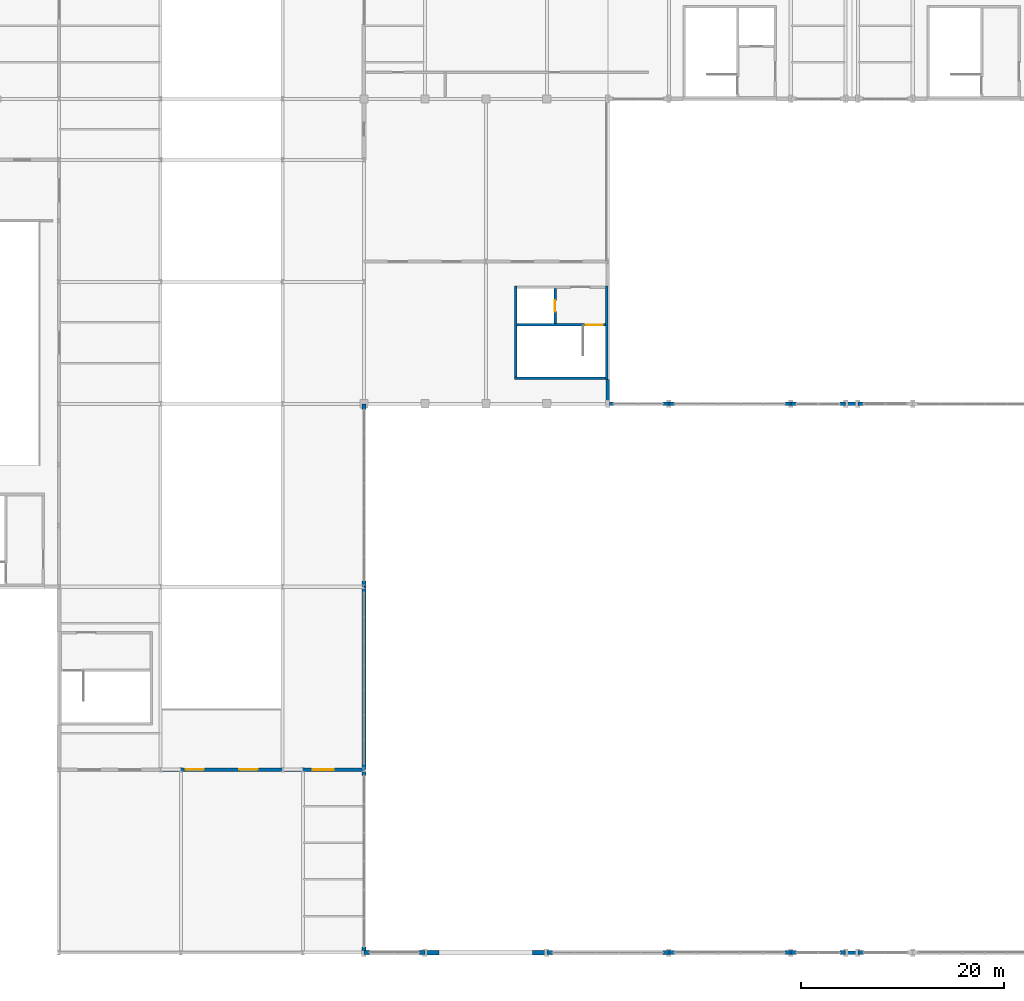
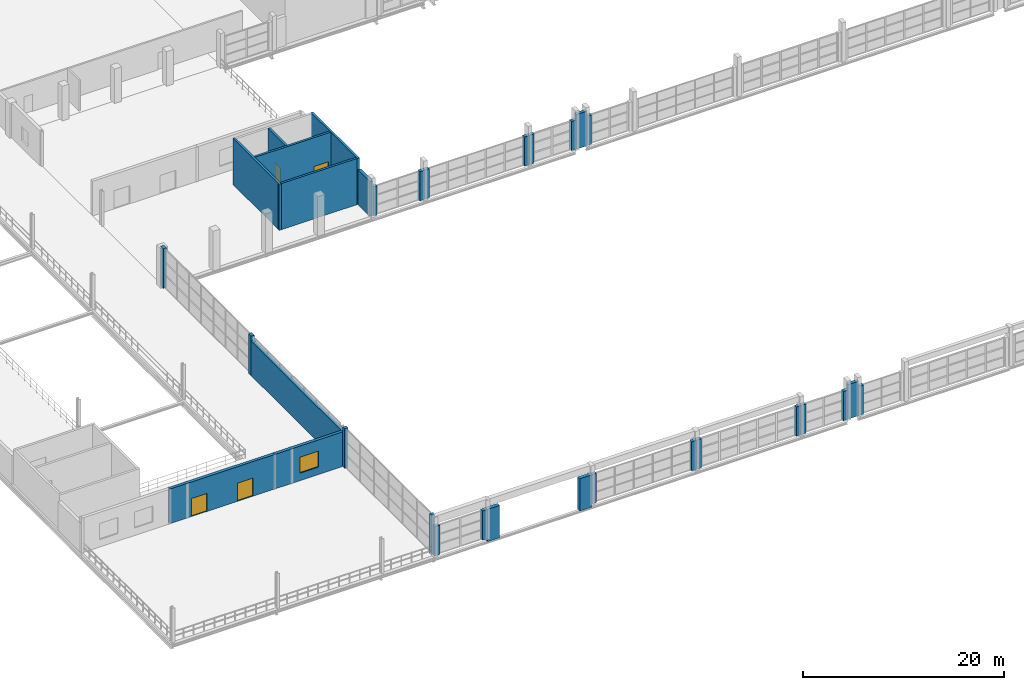
# One storey, part 132 of 147: 33 walls, 4 doors, 1 window, 5 openings.
"""IFC4 building model written with IfcOpenShell, lengths in metres."""

from ifc_helpers import new_model, si_unit, direction, frame, frame_2d, origin, place, context, subcontext, project, spatial, rectangle, extrude, material, layer, layer_set, type_object, element, fill, save


model = new_model("IFC4")

# Units and contexts
model_context = context("Model", 3, precision=1e-05, world=origin(), true_north=direction((0.0, 1.0)))
body_context = subcontext(model_context, "Body", "Model", "MODEL_VIEW")
ifc_project = project(units=[si_unit("LENGTHUNIT", "METRE"), si_unit("AREAUNIT", "SQUARE_METRE"), si_unit("VOLUMEUNIT", "CUBIC_METRE"), si_unit("PLANEANGLEUNIT", "RADIAN"), si_unit("MASSUNIT", "GRAM", prefix="KILO")], contexts=[model_context])

# Site, building, storey
site_placement = place(None, origin())
site = spatial("IfcSite", under=ifc_project, at=site_placement, CompositionType="ELEMENT")
building_placement = place(site_placement, origin())
building = spatial("IfcBuilding", under=site, at=building_placement, Name="Zilviju Railside Exhibition Hall", CompositionType="ELEMENT")
storey_placement = place(building_placement, frame((0.0, 0.0, 8.39990234375)))
storey = spatial("IfcBuildingStorey", under=building, at=storey_placement, Name="L03", CompositionType="ELEMENT", Elevation=8.39990234375)

# Walls
ifc_material_1 = material(Name="Concrete C35/45", Category="concrete")
ifc_layer_1 = layer(ifc_material_1, 0.25)
ifc_layer_set_1 = layer_set([ifc_layer_1], Name="Concrete C35/45")
wall_type_1 = type_object("IfcWallType", Name="WL-CORE-250", PredefinedType="SHEAR", material=ifc_layer_set_1)
wall_1_placement = place(storey_placement, frame((102.0, 56.52490234375, 0.0), z_axis=(0.0, 0.0, 1.0), x_axis=(-1.0, 0.0, 0.0)))
element("IfcWall", 1, at=wall_1_placement, inside=storey, type_object=wall_type_1, Name="Core C10 Winter Concourse Court Stairwell Outer Wall L03", PredefinedType="SHEAR", context=body_context, shape_type="SweptSolid", body=[
    extrude(rectangle(XDim=9.199951171875, YDim=0.25, at=frame_2d((4.60009765625, 0.0))), origin(), (0.0, 0.0, 1.0), 5.60009765625),
])
wall_2_placement = place(storey_placement, frame((92.925048828125, 56.39990234375, 0.0), z_axis=(0.0, 0.0, 1.0), x_axis=(0.0, 1.0, 0.0)))
element("IfcWall", 2, at=wall_2_placement, inside=storey, type_object=wall_type_1, Name="Core C10 Winter Concourse Court Core Rear Wall L03", PredefinedType="SHEAR", context=body_context, shape_type="SweptSolid", body=[
    extrude(rectangle(XDim=9.2001953125, YDim=0.25, at=frame_2d((4.60009765625, 0.0))), origin(), (0.0, 0.0, 1.0), 5.60009765625),
])

# Wall, opening, door
wall_3_placement = place(storey_placement, frame((101.75, 61.77490234375, 0.0), z_axis=(0.0, 0.0, 1.0), x_axis=(-1.0, 0.0, 0.0)))
wall_3 = element("IfcWall", 3, at=wall_3_placement, inside=storey, type_object=wall_type_1, Name="Core C10 Winter Concourse Court Stairwell Partition Wall L03", PredefinedType="SHEAR", context=body_context, shape_type="SweptSolid", body=[
    extrude(rectangle(XDim=8.699951171875, YDim=0.25, at=frame_2d((4.35009765625, 0.0))), origin(), (0.0, 0.0, 1.0), 5.60009765625),
])
opening_1_placement = place(wall_3_placement, frame((0.25, 0.0, 0.0)))
opening_1 = element("IfcOpeningElement", 4, at=opening_1_placement, cuts=wall_3, Name="Opening FD-01", PredefinedType="OPENING", context=body_context, shape_type="SweptSolid", body=[
    extrude(rectangle(XDim=1.64990234375, YDim=2.10009765625, at=frame_2d((0.824951171875, 1.050048828125))), frame((0.0, 0.135009765625, 0.0), z_axis=(0.0, -1.0, 0.0), x_axis=(1.0, 0.0, 0.0)), (0.0, 0.0, 1.0), 0.27001953125),
])
ifc_material_2 = material(Name="Self-closing steel stair enclosure fire door EI 60", Category="steel")
door_type_1 = type_object("IfcDoorType", Name="DR-STAIR-165x210", OperationType="NOTDEFINED", PredefinedType="DOOR", material=ifc_material_2)
door_1_placement = place(opening_1_placement, origin())
door_1 = element("IfcDoor", 5, at=door_1_placement, inside=storey, type_object=door_type_1, Name="Core C10 Winter Concourse Court Protected Stair Door L03", OperationType="SINGLE_SWING_RIGHT", OverallHeight=2.10009765625, OverallWidth=1.64990234375, PredefinedType="DOOR", context=body_context, shape_type="SweptSolid", body=[
    extrude(rectangle(XDim=1.64990234375, YDim=2.10009765625, at=frame_2d((0.824951171875, 1.050048828125))), frame((0.0, 0.02490234375, 0.0), z_axis=(0.0, -1.0, 0.0), x_axis=(1.0, 0.0, 0.0)), (0.0, 0.0, 1.0), 0.050048828125),
])
fill(opening_1, door_1)

wall_4_placement = place(storey_placement, frame((96.824951171875, 61.89990234375, 0.0), z_axis=(0.0, 0.0, 1.0), x_axis=(0.0, 1.0, 0.0)))
wall_4 = element("IfcWall", 6, at=wall_4_placement, inside=storey, type_object=wall_type_1, Name="Core C10 Winter Concourse Court Lift Shaft Front Wall L03", PredefinedType="SHEAR", context=body_context, shape_type="SweptSolid", body=[
    extrude(rectangle(XDim=3.4501953125, YDim=0.25, at=frame_2d((1.72509765625, 0.0))), origin(), (0.0, 0.0, 1.0), 5.60009765625),
])
opening_2_placement = place(wall_4_placement, frame((1.175048828125, 0.0, 0.0)))
opening_2 = element("IfcOpeningElement", 7, at=opening_2_placement, cuts=wall_4, Name="Opening LD-01", PredefinedType="OPENING", context=body_context, shape_type="SweptSolid", body=[
    extrude(rectangle(XDim=1.10009765625, YDim=2.10009765625, at=frame_2d((0.550048828125, 1.050048828125))), frame((0.0, 0.135009765625, 0.0), z_axis=(0.0, -1.0, 0.0), x_axis=(1.0, 0.0, 0.0)), (0.0, 0.0, 1.0), 0.27001953125),
])
ifc_material_3 = material(Name="Passenger lift sliding landing door EI 60", Category="wood")
door_type_2 = type_object("IfcDoorType", Name="DR-LIFT-110x210", OperationType="NOTDEFINED", PredefinedType="DOOR", material=ifc_material_3)
door_2_placement = place(opening_2_placement, origin())
door_2 = element("IfcDoor", 8, at=door_2_placement, inside=storey, type_object=door_type_2, Name="Lift Landing Door LP-04 L03", OperationType="SLIDING_TO_RIGHT", OverallHeight=2.10009765625, OverallWidth=1.10009765625, PredefinedType="DOOR", context=body_context, shape_type="SweptSolid", body=[
    extrude(rectangle(XDim=1.10009765625, YDim=2.10009765625, at=frame_2d((0.550048828125, 1.050048828125))), frame((0.0, 0.02490234375, 0.0), z_axis=(0.0, -1.0, 0.0), x_axis=(1.0, 0.0, 0.0)), (0.0, 0.0, 1.0), 0.050048828125),
])
fill(opening_2, door_2)

# Wall
ifc_material_4 = material(Name="Concrete C40/50", Category="concrete")
ifc_layer_2 = layer(ifc_material_4, 0.25)
ifc_layer_set_2 = layer_set([ifc_layer_2], Name="Concrete C40/50")
wall_type_2 = type_object("IfcWallType", Name="WL-CORE-300", PredefinedType="SHEAR", material=ifc_layer_set_2)
wall_5_placement = place(storey_placement, frame((101.875, 65.60009765625, 0.0), z_axis=(0.0, 0.0, 1.0), x_axis=(0.0, -1.0, 0.0)))
element("IfcWall", 9, at=wall_5_placement, inside=storey, type_object=wall_type_2, Name="Core C10 Winter Concourse Court Exterior Core Wall L03", PredefinedType="SHEAR", context=body_context, shape_type="SweptSolid", body=[
    extrude(rectangle(XDim=9.2001953125, YDim=0.25, at=frame_2d((4.60009765625, 0.0))), origin(), (0.0, 0.0, 1.0), 5.60009765625),
])

# Wall, openings, doors
ifc_material_5 = material(Name="Insulated terrace foyer masonry wall", Category="masonry")
ifc_layer_3 = layer(ifc_material_5, 0.340087890625)
ifc_layer_set_3 = layer_set([ifc_layer_3], Name="Insulated terrace foyer masonry wall")
wall_type_3 = type_object("IfcWallType", Name="WL-EXT-340", PredefinedType="SOLIDWALL", material=ifc_layer_set_3)
wall_6_placement = place(storey_placement, frame((70.0, 18.0, 0.0), z_axis=(0.0, 0.0, 1.0), x_axis=(-1.0, 0.0, 0.0)))
wall_6 = element("IfcWall", 10, at=wall_6_placement, inside=storey, type_object=wall_type_3, Name="Exterior Facade Wall L03 South 0412", PredefinedType="SOLIDWALL", context=body_context, shape_type="SweptSolid", body=[
    extrude(rectangle(XDim=12.0, YDim=0.340087890625, at=frame_2d((6.0, 0.0))), origin(), (0.0, 0.0, 1.0), 4.2001953125),
])
opening_3_placement = place(wall_6_placement, frame((2.4599609375, 0.0, 0.0)))
opening_3 = element("IfcOpeningElement", 11, at=opening_3_placement, cuts=wall_6, Name="Opening TD-01", PredefinedType="OPENING", context=body_context, shape_type="SweptSolid", body=[
    extrude(rectangle(XDim=1.800048828125, YDim=2.199951171875, at=frame_2d((0.89990234375, 1.10009765625))), frame((0.0, 0.179931640625, 0.0), z_axis=(0.0, -1.0, 0.0), x_axis=(1.0, 0.0, 0.0)), (0.0, 0.0, 1.0), 0.360107421875),
])
opening_4_placement = place(wall_6_placement, frame((7.739990234375, 0.0, 0.0)))
opening_4 = element("IfcOpeningElement", 12, at=opening_4_placement, cuts=wall_6, Name="Opening TD-01", PredefinedType="OPENING", context=body_context, shape_type="SweptSolid", body=[
    extrude(rectangle(XDim=1.800048828125, YDim=2.199951171875, at=frame_2d((0.89990234375, 1.10009765625))), frame((0.0, 0.179931640625, 0.0), z_axis=(0.0, -1.0, 0.0), x_axis=(1.0, 0.0, 0.0)), (0.0, 0.0, 1.0), 0.360107421875),
])
ifc_material_6 = material(Name="Triple-glazed roof-garden terrace double door", Category="steel")
door_type_3 = type_object("IfcDoorType", Name="DR-EXT-TERR-180x220", OperationType="NOTDEFINED", PredefinedType="DOOR", material=ifc_material_6)
door_3_placement = place(opening_3_placement, origin())
door_3 = element("IfcDoor", 13, at=door_3_placement, inside=storey, type_object=door_type_3, Name="South Concourse Roof Garden Terrace Door TD-V3-S", OperationType="DOUBLE_DOOR_SINGLE_SWING", OverallHeight=2.199951171875, OverallWidth=1.800048828125, PredefinedType="DOOR", context=body_context, shape_type="SweptSolid", body=[
    extrude(rectangle(XDim=1.800048828125, YDim=2.199951171875, at=frame_2d((0.89990234375, 1.10009765625))), frame((0.0, 0.02490234375, 0.0), z_axis=(0.0, -1.0, 0.0), x_axis=(1.0, 0.0, 0.0)), (0.0, 0.0, 1.0), 0.050048828125),
])
fill(opening_3, door_3)
door_4_placement = place(opening_4_placement, origin())
door_4 = element("IfcDoor", 14, at=door_4_placement, inside=storey, type_object=door_type_3, Name="South Concourse Roof Garden Terrace Door TD-V3-S", OperationType="DOUBLE_DOOR_SINGLE_SWING", OverallHeight=2.199951171875, OverallWidth=1.800048828125, PredefinedType="DOOR", context=body_context, shape_type="SweptSolid", body=[
    extrude(rectangle(XDim=1.800048828125, YDim=2.199951171875, at=frame_2d((0.89990234375, 1.10009765625))), frame((0.0, 0.02490234375, 0.0), z_axis=(0.0, -1.0, 0.0), x_axis=(1.0, 0.0, 0.0)), (0.0, 0.0, 1.0), 0.050048828125),
])
fill(opening_4, door_4)

# Wall, opening, window
wall_7_placement = place(storey_placement, frame((78.0, 18.0, 0.0), z_axis=(0.0, 0.0, 1.0), x_axis=(-1.0, 0.0, 0.0)))
wall_7 = element("IfcWall", 15, at=wall_7_placement, inside=storey, type_object=wall_type_3, Name="Exterior Facade Wall L03 South 0414", PredefinedType="SOLIDWALL", context=body_context, shape_type="SweptSolid", body=[
    extrude(rectangle(XDim=8.0, YDim=0.340087890625, at=frame_2d((4.0, 0.0))), origin(), (0.0, 0.0, 1.0), 4.2001953125),
])
opening_5_placement = place(wall_7_placement, frame((2.949951171875, 0.0, 0.89990234375)))
opening_5 = element("IfcOpeningElement", 16, at=opening_5_placement, cuts=wall_7, Name="Opening WN-15", PredefinedType="OPENING", context=body_context, shape_type="SweptSolid", body=[
    extrude(rectangle(XDim=2.10009765625, YDim=1.949951171875, at=frame_2d((1.050048828125, 0.97509765625))), frame((0.0, 0.179931640625, 0.0), z_axis=(0.0, -1.0, 0.0), x_axis=(1.0, 0.0, 0.0)), (0.0, 0.0, 1.0), 0.360107421875),
])
ifc_material_7 = material(Name="Triple-glazed timber-aluminium window unit", Category="wood")
window_type = type_object("IfcWindowType", Name="WIN-CON-210x195", PartitioningType="DOUBLE_PANEL_VERTICAL", PredefinedType="WINDOW", material=ifc_material_7)
window_placement = place(opening_5_placement, origin())
window = element("IfcWindow", 17, at=window_placement, inside=storey, type_object=window_type, Name="Facade Window L03 WN-0019", OverallHeight=1.949951171875, OverallWidth=2.10009765625, PartitioningType="SINGLE_PANEL", PredefinedType="WINDOW", context=body_context, shape_type="SweptSolid", body=[
    extrude(rectangle(XDim=2.10009765625, YDim=1.949951171875, at=frame_2d((1.050048828125, 0.97509765625))), frame((0.0, 0.030029296875, 0.0), z_axis=(0.0, -1.0, 0.0), x_axis=(1.0, 0.0, 0.0)), (0.0, 0.0, 1.0), 0.06005859375),
])
fill(opening_5, window)

# Walls
ifc_material_8 = material(Name="Insulated courtyard masonry wall", Category="masonry")
ifc_layer_4 = layer(ifc_material_8, 0.360107421875)
ifc_layer_set_4 = layer_set([ifc_layer_4], Name="Insulated courtyard masonry wall")
wall_type_4 = type_object("IfcWallType", Name="WL-EXT-360", PredefinedType="SOLIDWALL", material=ifc_layer_set_4)
wall_8_placement = place(storey_placement, frame((102.0, 56.39990234375, 0.0), z_axis=(0.0, 0.0, 1.0), x_axis=(0.0, -1.0, 0.0)))
element("IfcWall", 18, at=wall_8_placement, inside=storey, type_object=wall_type_4, Name="Exterior Facade Wall L03 East 0418", PredefinedType="SOLIDWALL", context=body_context, shape_type="SweptSolid", body=[
    extrude(rectangle(XDim=2.39990234375, YDim=0.360107421875, at=frame_2d((1.199951171875, 0.0))), origin(), (0.0, 0.0, 1.0), 4.2001953125),
])
for number, where, z_axis, x_axis, name in (
    (19, (126.60009765625, 0.0, 0.0), (0.0, 0.0, 1.0), (-1.0, 0.0, 0.0), "Exterior Facade Wall L03 South 0587"),
    (20, (125.39990234375, 54.0, 0.0), (0.0, 0.0, 1.0), (1.0, 0.0, 0.0), "Exterior Facade Wall L03 North 0588"),
):
    element("IfcWall", number, at=place(storey_placement, frame(where, z_axis=z_axis, x_axis=x_axis)), inside=storey, type_object=wall_type_4, Name=name, PredefinedType="SOLIDWALL", context=body_context, shape_type="SweptSolid", body=[
        extrude(rectangle(XDim=1.2001953125, YDim=0.360107421875, at=frame_2d((0.60009765625, 0.0))), origin(), (0.0, 0.0, 1.0), 4.2001953125),
    ])
ifc_material_9 = material(Name="Insulated cream-brick upper facade wall", Category="masonry")
ifc_layer_5 = layer(ifc_material_9, 0.3798828125)
ifc_layer_set_5 = layer_set([ifc_layer_5], Name="Insulated cream-brick upper facade wall")
wall_type_5 = type_object("IfcWallType", Name="WL-EXT-380", PredefinedType="SOLIDWALL", material=ifc_layer_set_5)
wall_9_placement = place(storey_placement, frame((78.550048828125, 0.0, 0.0), z_axis=(0.0, 0.0, 1.0), x_axis=(-1.0, 0.0, 0.0)))
element("IfcWall", 21, at=wall_9_placement, inside=storey, type_object=wall_type_5, Name="Curtain-Wall Jamb Closure Pier L03 0095", PredefinedType="SOLIDWALL", context=body_context, shape_type="SweptSolid", body=[
    extrude(rectangle(XDim=0.550048828125, YDim=0.3798828125, at=frame_2d((0.27490234375, 0.0))), origin(), (0.0, 0.0, 1.0), 3.56005859375),
])
for number, where, z_axis, x_axis, name in (
    (22, (83.998046875, 0.0, 0.0), (0.0, 0.0, 1.0), (-1.0, 0.0, 0.0), "Curtain-Wall Jamb Closure Pier L03 0096"),
    (23, (96.550048828125, 0.0, 0.0), (0.0, 0.0, 1.0), (-1.0, 0.0, 0.0), "Curtain-Wall Jamb Closure Pier L03 0099"),
):
    element("IfcWall", number, at=place(storey_placement, frame(where, z_axis=z_axis, x_axis=x_axis)), inside=storey, type_object=wall_type_5, Name=name, PredefinedType="SOLIDWALL", context=body_context, shape_type="SweptSolid", body=[
        extrude(rectangle(XDim=0.548095703125, YDim=0.3798828125, at=frame_2d((0.27392578125, 0.0))), origin(), (0.0, 0.0, 1.0), 3.56005859375),
    ])
wall_10_placement = place(storey_placement, frame((108.0, 0.0, 0.0), z_axis=(0.0, 0.0, 1.0), x_axis=(-1.0, 0.0, 0.0)))
element("IfcWall", 24, at=wall_10_placement, inside=storey, type_object=wall_type_5, Name="Curtain-Wall Jamb Closure Pier L03 0100", PredefinedType="SOLIDWALL", context=body_context, shape_type="SweptSolid", body=[
    extrude(rectangle(XDim=0.550048828125, YDim=0.3798828125, at=frame_2d((0.27490234375, 0.0))), origin(), (0.0, 0.0, 1.0), 3.56005859375),
])
wall_11_placement = place(storey_placement, frame((108.550048828125, 0.0, 0.0), z_axis=(0.0, 0.0, 1.0), x_axis=(-1.0, 0.0, 0.0)))
element("IfcWall", 25, at=wall_11_placement, inside=storey, type_object=wall_type_5, Name="Curtain-Wall Jamb Closure Pier L03 0101", PredefinedType="SOLIDWALL", context=body_context, shape_type="SweptSolid", body=[
    extrude(rectangle(XDim=0.548095703125, YDim=0.3798828125, at=frame_2d((0.27392578125, 0.0))), origin(), (0.0, 0.0, 1.0), 3.56005859375),
])
wall_12_placement = place(storey_placement, frame((120.0, 0.0, 0.0), z_axis=(0.0, 0.0, 1.0), x_axis=(-1.0, 0.0, 0.0)))
element("IfcWall", 26, at=wall_12_placement, inside=storey, type_object=wall_type_5, Name="Curtain-Wall Jamb Closure Pier L03 0102", PredefinedType="SOLIDWALL", context=body_context, shape_type="SweptSolid", body=[
    extrude(rectangle(XDim=0.550048828125, YDim=0.3798828125, at=frame_2d((0.27490234375, 0.0))), origin(), (0.0, 0.0, 1.0), 3.56005859375),
])
wall_13_placement = place(storey_placement, frame((120.550048828125, 0.0, 0.0), z_axis=(0.0, 0.0, 1.0), x_axis=(-1.0, 0.0, 0.0)))
element("IfcWall", 27, at=wall_13_placement, inside=storey, type_object=wall_type_5, Name="Curtain-Wall Jamb Closure Pier L03 0103", PredefinedType="SOLIDWALL", context=body_context, shape_type="SweptSolid", body=[
    extrude(rectangle(XDim=0.548095703125, YDim=0.3798828125, at=frame_2d((0.27392578125, 0.0))), origin(), (0.0, 0.0, 1.0), 3.56005859375),
])
for number, where, z_axis, x_axis, name in (
    (28, (125.39794921875, 0.0, 0.0), (0.0, 0.0, 1.0), (-1.0, 0.0, 0.0), "Curtain-Wall Jamb Closure Pier L03 0104"),
    (29, (127.14990234375, 0.0, 0.0), (0.0, 0.0, 1.0), (-1.0, 0.0, 0.0), "Curtain-Wall Jamb Closure Pier L03 0105"),
):
    element("IfcWall", number, at=place(storey_placement, frame(where, z_axis=z_axis, x_axis=x_axis)), inside=storey, type_object=wall_type_5, Name=name, PredefinedType="SOLIDWALL", context=body_context, shape_type="SweptSolid", body=[
        extrude(rectangle(XDim=0.5478515625, YDim=0.3798828125, at=frame_2d((0.27392578125, 0.0))), origin(), (0.0, 0.0, 1.0), 3.56005859375),
    ])
wall_14_placement = place(storey_placement, frame((102.181884765625, 54.0, 0.0), z_axis=(0.0, 0.0, 1.0), x_axis=(1.0, 0.0, 0.0)))
element("IfcWall", 30, at=wall_14_placement, inside=storey, type_object=wall_type_5, Name="Curtain-Wall Jamb Closure Pier L03 0123", PredefinedType="SOLIDWALL", context=body_context, shape_type="SweptSolid", body=[
    extrude(rectangle(XDim=0.3681640625, YDim=0.3798828125, at=frame_2d((0.18408203125, 0.0))), origin(), (0.0, 0.0, 1.0), 3.56005859375),
])
wall_15_placement = place(storey_placement, frame((107.449951171875, 54.0, 0.0), z_axis=(0.0, 0.0, 1.0), x_axis=(1.0, 0.0, 0.0)))
element("IfcWall", 31, at=wall_15_placement, inside=storey, type_object=wall_type_5, Name="Curtain-Wall Jamb Closure Pier L03 0124", PredefinedType="SOLIDWALL", context=body_context, shape_type="SweptSolid", body=[
    extrude(rectangle(XDim=0.550048828125, YDim=0.3798828125, at=frame_2d((0.27490234375, 0.0))), origin(), (0.0, 0.0, 1.0), 3.56005859375),
])
wall_16_placement = place(storey_placement, frame((108.001953125, 54.0, 0.0), z_axis=(0.0, 0.0, 1.0), x_axis=(1.0, 0.0, 0.0)))
element("IfcWall", 32, at=wall_16_placement, inside=storey, type_object=wall_type_5, Name="Curtain-Wall Jamb Closure Pier L03 0125", PredefinedType="SOLIDWALL", context=body_context, shape_type="SweptSolid", body=[
    extrude(rectangle(XDim=0.548095703125, YDim=0.3798828125, at=frame_2d((0.27392578125, 0.0))), origin(), (0.0, 0.0, 1.0), 3.56005859375),
])
wall_17_placement = place(storey_placement, frame((119.449951171875, 54.0, 0.0), z_axis=(0.0, 0.0, 1.0), x_axis=(1.0, 0.0, 0.0)))
element("IfcWall", 33, at=wall_17_placement, inside=storey, type_object=wall_type_5, Name="Curtain-Wall Jamb Closure Pier L03 0126", PredefinedType="SOLIDWALL", context=body_context, shape_type="SweptSolid", body=[
    extrude(rectangle(XDim=0.550048828125, YDim=0.3798828125, at=frame_2d((0.27490234375, 0.0))), origin(), (0.0, 0.0, 1.0), 3.56005859375),
])
wall_18_placement = place(storey_placement, frame((120.001953125, 54.0, 0.0), z_axis=(0.0, 0.0, 1.0), x_axis=(1.0, 0.0, 0.0)))
element("IfcWall", 34, at=wall_18_placement, inside=storey, type_object=wall_type_5, Name="Curtain-Wall Jamb Closure Pier L03 0127", PredefinedType="SOLIDWALL", context=body_context, shape_type="SweptSolid", body=[
    extrude(rectangle(XDim=0.548095703125, YDim=0.3798828125, at=frame_2d((0.27392578125, 0.0))), origin(), (0.0, 0.0, 1.0), 3.56005859375),
])
for number, where, z_axis, x_axis, name in (
    (35, (124.85009765625, 54.0, 0.0), (0.0, 0.0, 1.0), (1.0, 0.0, 0.0), "Curtain-Wall Jamb Closure Pier L03 0128"),
    (36, (126.60205078125, 54.0, 0.0), (0.0, 0.0, 1.0), (1.0, 0.0, 0.0), "Curtain-Wall Jamb Closure Pier L03 0129"),
):
    element("IfcWall", number, at=place(storey_placement, frame(where, z_axis=z_axis, x_axis=x_axis)), inside=storey, type_object=wall_type_5, Name=name, PredefinedType="SOLIDWALL", context=body_context, shape_type="SweptSolid", body=[
        extrude(rectangle(XDim=0.5478515625, YDim=0.3798828125, at=frame_2d((0.27392578125, 0.0))), origin(), (0.0, 0.0, 1.0), 3.56005859375),
    ])
wall_19_placement = place(storey_placement, frame((78.0, 0.19189453125, 0.0), z_axis=(0.0, 0.0, 1.0), x_axis=(0.0, 1.0, 0.0)))
element("IfcWall", 37, at=wall_19_placement, inside=storey, type_object=wall_type_5, Name="Curtain-Wall Jamb Closure Pier L03 0153", PredefinedType="SOLIDWALL", context=body_context, shape_type="SweptSolid", body=[
    extrude(rectangle(XDim=0.358154296875, YDim=0.3798828125, at=frame_2d((0.17919921875, 0.0))), origin(), (0.0, 0.0, 1.0), 4.800048828125),
])
wall_20_placement = place(storey_placement, frame((78.0, 17.449951171875, 0.0), z_axis=(0.0, 0.0, 1.0), x_axis=(0.0, 1.0, 0.0)))
element("IfcWall", 38, at=wall_20_placement, inside=storey, type_object=wall_type_5, Name="Curtain-Wall Jamb Closure Pier L03 0154", PredefinedType="SOLIDWALL", context=body_context, shape_type="SweptSolid", body=[
    extrude(rectangle(XDim=0.3779296875, YDim=0.3798828125, at=frame_2d((0.18896484375, 0.0))), origin(), (0.0, 0.0, 1.0), 4.800048828125),
])
wall_21_placement = place(storey_placement, frame((78.0, 36.001953125, 0.0), z_axis=(0.0, 0.0, 1.0), x_axis=(0.0, 1.0, 0.0)))
element("IfcWall", 39, at=wall_21_placement, inside=storey, type_object=wall_type_5, Name="Curtain-Wall Jamb Closure Pier L03 0157", PredefinedType="SOLIDWALL", context=body_context, shape_type="SweptSolid", body=[
    extrude(rectangle(XDim=0.548095703125, YDim=0.3798828125, at=frame_2d((0.27392578125, 0.0))), origin(), (0.0, 0.0, 1.0), 4.800048828125),
])
wall_22_placement = place(storey_placement, frame((78.0, 53.449951171875, 0.0), z_axis=(0.0, 0.0, 1.0), x_axis=(0.0, 1.0, 0.0)))
element("IfcWall", 40, at=wall_22_placement, inside=storey, type_object=wall_type_5, Name="Curtain-Wall Jamb Closure Pier L03 0158", PredefinedType="SOLIDWALL", context=body_context, shape_type="SweptSolid", body=[
    extrude(rectangle(XDim=0.550048828125, YDim=0.3798828125, at=frame_2d((0.27490234375, 0.0))), origin(), (0.0, 0.0, 1.0), 4.800048828125),
])
wall_23_placement = place(storey_placement, frame((78.0, 36.0, 0.0), z_axis=(0.0, 0.0, 1.0), x_axis=(0.0, -1.0, 0.0)))
element("IfcWall", 41, at=wall_23_placement, inside=storey, type_object=wall_type_5, Name="Exterior Facade Wall L03 East 0416", PredefinedType="SOLIDWALL", context=body_context, shape_type="SweptSolid", body=[
    extrude(rectangle(XDim=18.0, YDim=0.3798828125, at=frame_2d((9.0, 0.0))), origin(), (0.0, 0.0, 1.0), 4.2001953125),
])
ifc_material_10 = material(Name="Insulated Jugendstils ochre brick facade wall", Category="masonry")
ifc_layer_6 = layer(ifc_material_10, 0.419921875)
ifc_layer_set_6 = layer_set([ifc_layer_6], Name="Insulated Jugendstils ochre brick facade wall")
wall_type_6 = type_object("IfcWallType", Name="WL-EXT-420", PredefinedType="SOLIDWALL", material=ifc_layer_set_6)
for number, where, z_axis, x_axis, name in (
    (42, (85.39990234375, 0.0, -0.33984375), (0.0, 0.0, 1.0), (-1.0, 0.0, 0.0), "Exterior Facade Wall L03 South 0097"),
    (43, (96.0, 0.0, -0.33984375), (0.0, 0.0, 1.0), (-1.0, 0.0, 0.0), "Exterior Facade Wall L03 South 0098"),
):
    element("IfcWall", number, at=place(storey_placement, frame(where, z_axis=z_axis, x_axis=x_axis)), inside=storey, type_object=wall_type_6, Name=name, PredefinedType="SOLIDWALL", context=body_context, shape_type="SweptSolid", body=[
        extrude(rectangle(XDim=1.39990234375, YDim=0.419921875, at=frame_2d((0.699951171875, 0.0))), origin(), (0.0, 0.0, 1.0), 3.909912109375),
    ])

save(model, "model.ifc")
